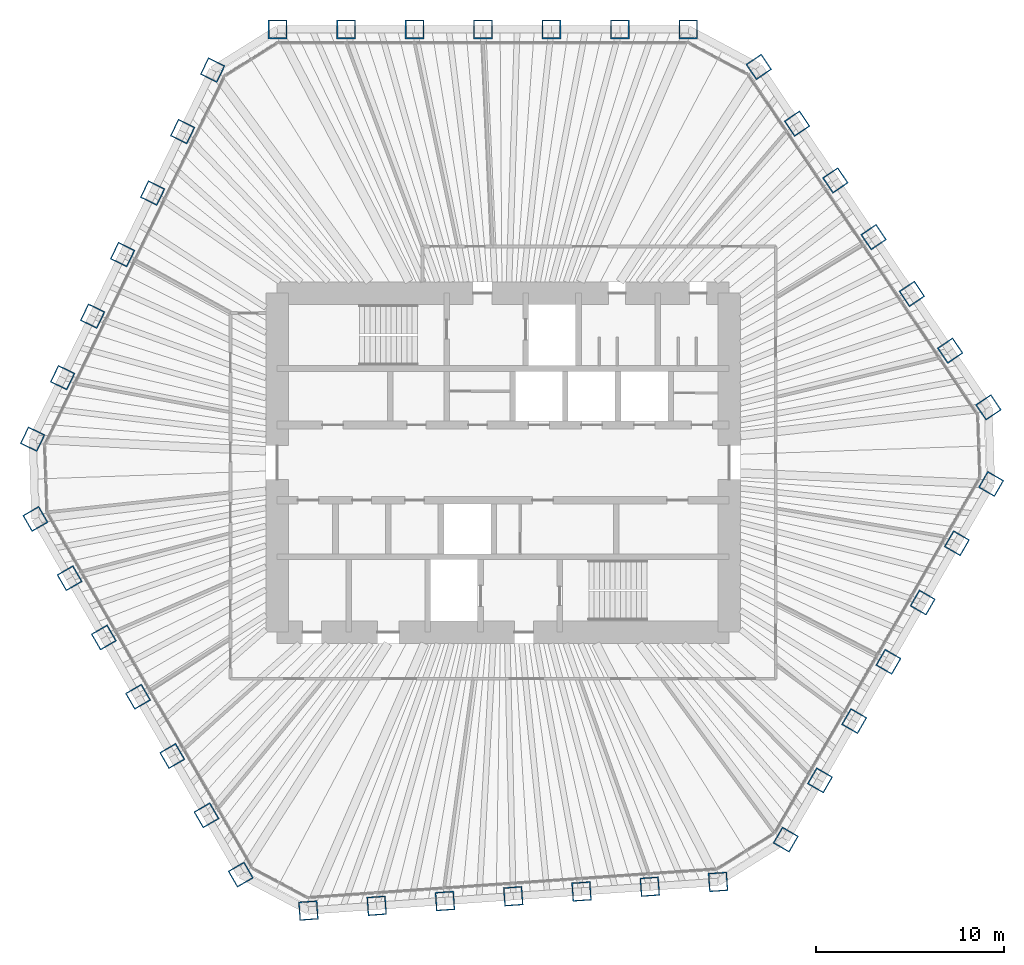
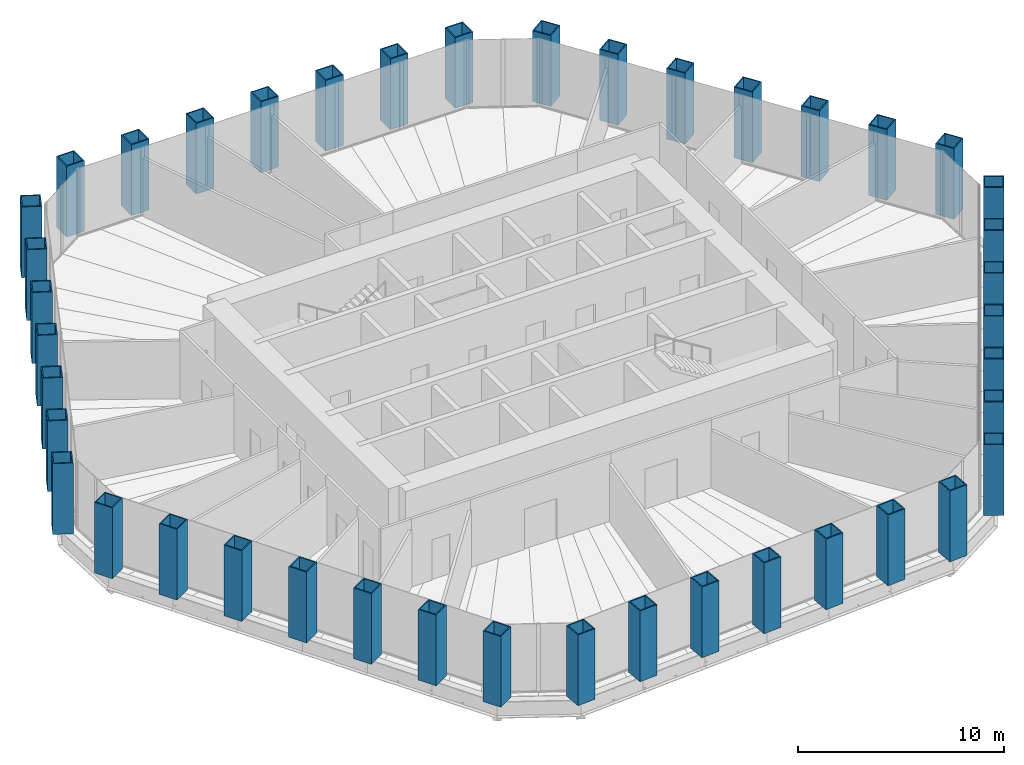
# One storey, part 1 of 14: 42 columns.
"""IFC4 building model written with IfcOpenShell, lengths in metres."""

from ifc_helpers import new_model, si_unit, direction, frame, origin, origin_2d, place, context, subcontext, project, spatial, hollow_rectangle, extrude, material, material_profile, profile_set, type_object, element, save


model = new_model("IFC4")

# Units and contexts
model_context = context("Model", 3, precision=1e-05, world=origin(), true_north=direction((0.0, 1.0)))
body_context = subcontext(model_context, "Body", "Model", "MODEL_VIEW")
ifc_project = project(units=[si_unit("LENGTHUNIT", "METRE"), si_unit("AREAUNIT", "SQUARE_METRE"), si_unit("VOLUMEUNIT", "CUBIC_METRE"), si_unit("PLANEANGLEUNIT", "RADIAN"), si_unit("MASSUNIT", "GRAM", prefix="KILO")], contexts=[model_context])

# Site, building, storey
site_placement = place(None, origin())
site = spatial("IfcSite", under=ifc_project, at=site_placement, CompositionType="ELEMENT")
building_placement = place(site_placement, origin())
building = spatial("IfcBuilding", under=site, at=building_placement, Name="Qingtian Harvest Tower", CompositionType="ELEMENT")
storey_placement = place(building_placement, frame((0.0, 0.0, 243.39990234375)))
storey = spatial("IfcBuildingStorey", under=building, at=storey_placement, Name="L53", CompositionType="ELEMENT", Elevation=243.39990234375)

# Columns
ifc_material = material(Name="Steel SM570MC", Category="steel")
ifc_material_profile = material_profile(ifc_material, hollow_rectangle(XDim=1.0, YDim=1.0, WallThickness=0.06005859375, at=origin_2d()), Name="BOX1000x1000x60")
ifc_profile_set = profile_set([ifc_material_profile], Name="Steel SM570MC")
column_type = type_object("IfcColumnType", Name="Tube column TC6 BOX1000x1000x60", PredefinedType="COLUMN", material=ifc_profile_set)
for number, where, z_axis, x_axis, name in (
    (1, (-11.971923828125, 23.0, 0.0), (0.0, 0.0, 1.0), (-1.0, 0.0, 0.0), "Tube column TC6 N0"),
    (2, (-8.33837890625, 23.0, 0.0), (0.0, 0.0, 1.0), (-1.0, 0.0, 0.0), "Tube column TC6 N1"),
    (3, (-4.704833984375, 23.0, 0.0), (0.0, 0.0, 1.0), (-1.0, 0.0, 0.0), "Tube column TC6 N2"),
    (4, (-1.0712890625, 23.0, 0.0), (0.0, 0.0, 1.0), (-1.0, 0.0, 0.0), "Tube column TC6 N3"),
    (5, (2.562255859375, 23.0, 0.0), (0.0, 0.0, 1.0), (-1.0, 0.0, 0.0), "Tube column TC6 N4"),
    (6, (6.19580078125, 23.0, 0.0), (0.0, 0.0, 1.0), (-1.0, 0.0, 0.0), "Tube column TC6 N5"),
    (7, (9.829345703125, 23.0, 0.0), (0.0, 0.0, 1.0), (-1.0, 0.0, 0.0), "Tube column TC6 N6"),
    (8, (13.5712890625, 21.01025390625, 0.0), (0.0, 0.0, 1.0), (-0.559192903471, 0.829037572555, 0.0), "Tube column TC6 NE0"),
    (9, (15.603271484375, 17.998046875, 0.0), (0.0, 0.0, 1.0), (-0.559192903471, 0.829037572555, 0.0), "Tube column TC6 NE1"),
    (10, (17.635009765625, 14.985595703125, 0.0), (0.0, 0.0, 1.0), (-0.559192903471, 0.829037572555, 0.0), "Tube column TC6 NE2"),
    (11, (19.6669921875, 11.97314453125, 0.0), (0.0, 0.0, 1.0), (-0.559192903471, 0.829037572555, 0.0), "Tube column TC6 NE3"),
    (12, (21.69873046875, 8.9609375, 0.0), (0.0, 0.0, 1.0), (-0.559192903471, 0.829037572555, 0.0), "Tube column TC6 NE4"),
    (13, (23.730712890625, 5.948486328125, 0.0), (0.0, 0.0, 1.0), (-0.559192903471, 0.829037572555, 0.0), "Tube column TC6 NE5"),
    (14, (25.762451171875, 2.936279296875, 0.0), (0.0, 0.0, 1.0), (-0.559192903471, 0.829037572555, 0.0), "Tube column TC6 NE6"),
    (15, (25.904541015625, -1.1318359375, 0.0), (0.0, 0.0, 1.0), (0.5, 0.866025403784, 0.0), "Tube column TC6 SE0"),
    (16, (24.087890625, -4.27880859375, 0.0), (0.0, 0.0, 1.0), (0.5, 0.866025403784, 0.0), "Tube column TC6 SE1"),
    (17, (22.27099609375, -7.425537109375, 0.0), (0.0, 0.0, 1.0), (0.5, 0.866025403784, 0.0), "Tube column TC6 SE2"),
    (18, (20.454345703125, -10.572265625, 0.0), (0.0, 0.0, 1.0), (0.5, 0.866025403784, 0.0), "Tube column TC6 SE3"),
    (19, (18.637451171875, -13.718994140625, 0.0), (0.0, 0.0, 1.0), (0.5, 0.866025403784, 0.0), "Tube column TC6 SE4"),
    (20, (16.82080078125, -16.86572265625, 0.0), (0.0, 0.0, 1.0), (0.5, 0.866025403784, 0.0), "Tube column TC6 SE5"),
    (21, (15.00390625, -20.012451171875, 0.0), (0.0, 0.0, 1.0), (0.5, 0.866025403784, 0.0), "Tube column TC6 SE6"),
    (22, (11.40966796875, -22.25830078125, 0.0), (0.0, 0.0, 1.0), (0.99756405026, 0.069756473744, 0.0), "Tube column TC6 S0"),
    (23, (7.78515625, -22.51171875, 0.0), (0.0, 0.0, 1.0), (0.99756405026, 0.069756473744, 0.0), "Tube column TC6 S1"),
    (24, (4.160400390625, -22.76513671875, 0.0), (0.0, 0.0, 1.0), (0.99756405026, 0.069756473744, 0.0), "Tube column TC6 S2"),
    (25, (0.53564453125, -23.018798828125, 0.0), (0.0, 0.0, 1.0), (0.99756405026, 0.069756473744, 0.0), "Tube column TC6 S3"),
    (26, (-3.089111328125, -23.272216796875, 0.0), (0.0, 0.0, 1.0), (0.99756405026, 0.069756473744, 0.0), "Tube column TC6 S4"),
    (27, (-6.713623046875, -23.525634765625, 0.0), (0.0, 0.0, 1.0), (0.99756405026, 0.069756473744, 0.0), "Tube column TC6 S5"),
    (28, (-10.33837890625, -23.779052734375, 0.0), (0.0, 0.0, 1.0), (0.99756405026, 0.069756473744, 0.0), "Tube column TC6 S6"),
    (29, (-13.9326171875, -21.8681640625, 0.0), (0.0, 0.0, 1.0), (0.5, -0.866025403784, 0.0), "Tube column TC6 SW0"),
    (30, (-15.749267578125, -18.72119140625, 0.0), (0.0, 0.0, 1.0), (0.5, -0.866025403784, 0.0), "Tube column TC6 SW1"),
    (31, (-17.566162109375, -15.574462890625, 0.0), (0.0, 0.0, 1.0), (0.5, -0.866025403784, 0.0), "Tube column TC6 SW2"),
    (32, (-19.3828125, -12.427734375, 0.0), (0.0, 0.0, 1.0), (0.5, -0.866025403784, 0.0), "Tube column TC6 SW3"),
    (33, (-21.19970703125, -9.281005859375, 0.0), (0.0, 0.0, 1.0), (0.5, -0.866025403784, 0.0), "Tube column TC6 SW4"),
    (34, (-23.016357421875, -6.13427734375, 0.0), (0.0, 0.0, 1.0), (0.5, -0.866025403784, 0.0), "Tube column TC6 SW5"),
    (35, (-24.833251953125, -2.987548828125, 0.0), (0.0, 0.0, 1.0), (0.5, -0.866025403784, 0.0), "Tube column TC6 SW6"),
    (36, (-24.981201171875, 1.248046875, 0.0), (0.0, 0.0, 1.0), (-0.438371146789, -0.898794046299, 0.0), "Tube column TC6 NW0"),
    (37, (-23.388427734375, 4.513916015625, 0.0), (0.0, 0.0, 1.0), (-0.438371146789, -0.898794046299, 0.0), "Tube column TC6 NW1"),
    (38, (-21.79541015625, 7.779541015625, 0.0), (0.0, 0.0, 1.0), (-0.438371146789, -0.898794046299, 0.0), "Tube column TC6 NW2"),
    (39, (-20.20263671875, 11.04541015625, 0.0), (0.0, 0.0, 1.0), (-0.438371146789, -0.898794046299, 0.0), "Tube column TC6 NW3"),
    (40, (-18.60986328125, 14.311279296875, 0.0), (0.0, 0.0, 1.0), (-0.438371146789, -0.898794046299, 0.0), "Tube column TC6 NW4"),
    (41, (-17.016845703125, 17.5771484375, 0.0), (0.0, 0.0, 1.0), (-0.438371146789, -0.898794046299, 0.0), "Tube column TC6 NW5"),
    (42, (-15.424072265625, 20.8427734375, 0.0), (0.0, 0.0, 1.0), (-0.438371146789, -0.898794046299, 0.0), "Tube column TC6 NW6"),
):
    element("IfcColumn", number, at=place(storey_placement, frame(where, z_axis=z_axis, x_axis=x_axis)), inside=storey, type_object=column_type, Name=name, PredefinedType="COLUMN", context=body_context, shape_type="SweptSolid", body=[
        extrude(hollow_rectangle(XDim=1.0, YDim=1.0, WallThickness=0.06005859375, at=origin_2d()), origin(), (0.0, 0.0, 1.0), 4.2001953125),
    ])

save(model, "model.ifc")
